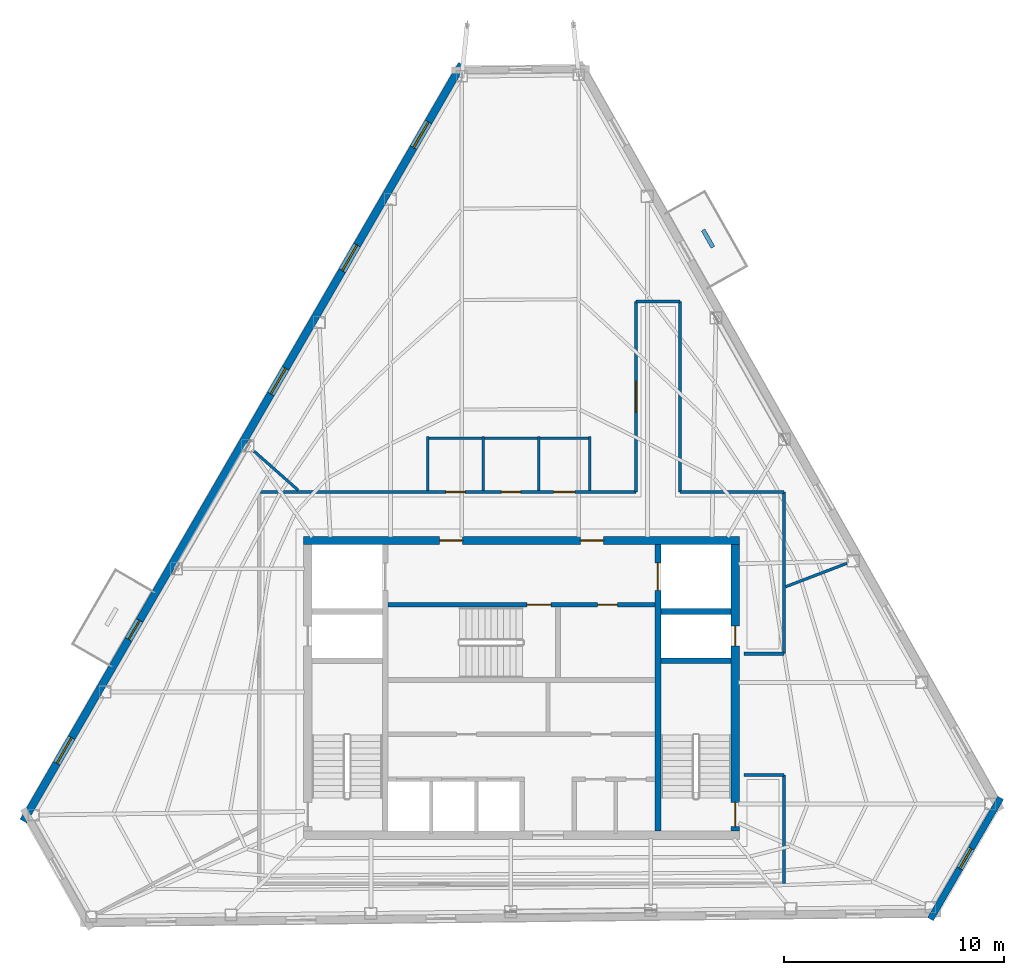
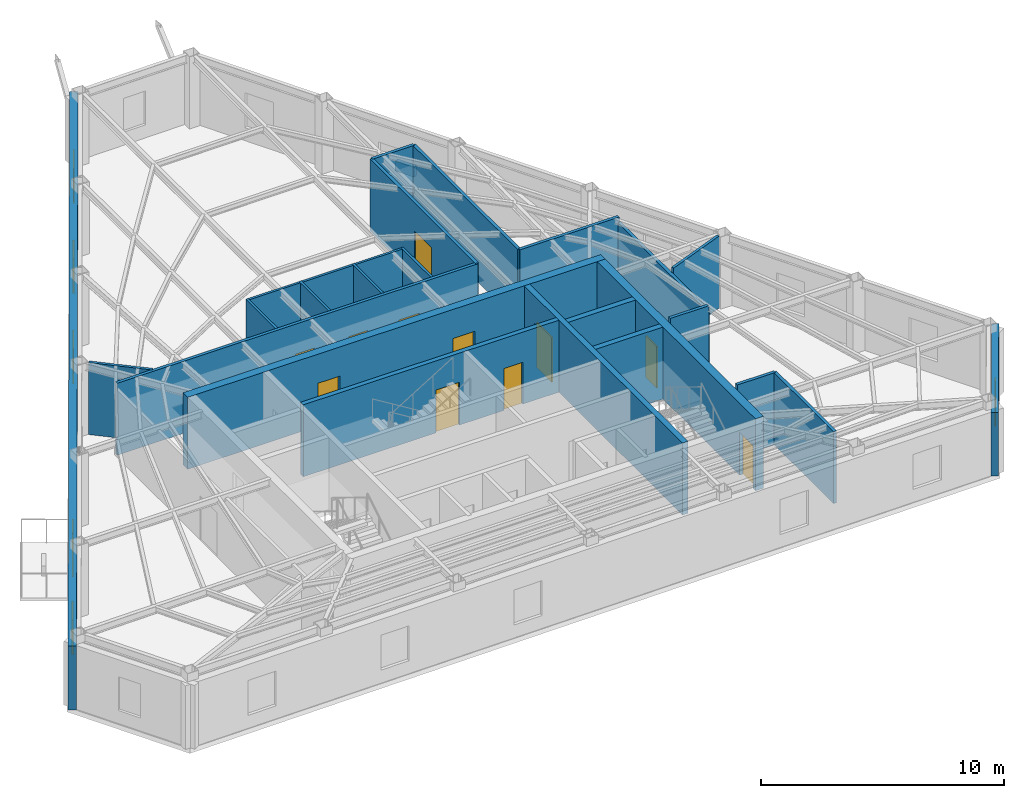
# One storey, part 7 of 10: 25 walls, 12 doors, 5 windows, 17 openings.
"""IFC4 building model written with IfcOpenShell, lengths in metres."""

import ifcopenshell
import ifcopenshell.guid

model = None  # the IFC model being written
_history = None  # IfcOwnerHistory: only IFC2X3 demands one
_inside = {}  # id of a spatial element -> (the spatial element, [elements in it])
_under = {}  # id of a project, library or spatial element -> (it, [spatial elements below it])
_declared = {}  # id of a project -> (the project, [libraries it declares])
_typed = {}  # id of a type object -> (the type object, [elements of that type])
_made_of = {}  # id of a material, layer set ... -> (it, [elements and type objects made of it])


def new_model(schema):
    """Start an empty IFC model of exactly this schema.

    Asked for "IFC4X3", IfcOpenShell would pick the latest addendum, in which some entities
    have other attributes; the version numbers below select the first issue.
    IFC2X3 requires an IfcOwnerHistory on every rooted entity: one is made here for all.
    """
    global model, _history
    if schema == "IFC4X3":
        model = ifcopenshell.file(schema_version=(4, 3, 0, 0))
    else:
        model = ifcopenshell.file(schema=schema)
    _inside.clear()
    _under.clear()
    _declared.clear()
    _typed.clear()
    _made_of.clear()
    _history = None
    if model.schema == "IFC2X3":
        org = make("IfcOrganization", Name="unknown")
        user = make(
            "IfcPersonAndOrganization",
            ThePerson=make("IfcPerson", FamilyName="unknown"),
            TheOrganization=org,
        )
        app = make(
            "IfcApplication",
            ApplicationDeveloper=org,
            Version="unknown",
            ApplicationFullName="unknown",
            ApplicationIdentifier="unknown",
        )
        _history = make(
            "IfcOwnerHistory",
            OwningUser=user,
            OwningApplication=app,
            ChangeAction="ADDED",
            CreationDate=0,
        )
    return model


def make(cls, **values):
    """One entity of the class cls with the attributes given. An attribute that is None is left unset."""
    return model.create_entity(
        cls, **{name: value for name, value in values.items() if value is not None}
    )


def rooted(cls, **values):
    """An entity with a GlobalId (a new one), such as an element, a storey or a relation."""
    return make(cls, GlobalId=ifcopenshell.guid.new(), OwnerHistory=_history, **values)


def si_unit(unit_type, name, prefix=None):
    """IfcSIUnit, for example si_unit("LENGTHUNIT", "METRE", prefix="MILLI")."""
    return make("IfcSIUnit", UnitType=unit_type, Prefix=prefix, Name=name)


def assignment(units):
    """IfcUnitAssignment: the units of a project."""
    return None if units is None else make("IfcUnitAssignment", Units=units)


def point(xyz):
    """IfcCartesianPoint."""
    return None if xyz is None else make("IfcCartesianPoint", Coordinates=xyz)


def direction(xyz):
    """IfcDirection."""
    return None if xyz is None else make("IfcDirection", DirectionRatios=xyz)


def frame(location, z_axis=None, x_axis=None):
    """IfcAxis2Placement3D, a coordinate frame: its origin and axes. An axis left out is left unset."""
    return make(
        "IfcAxis2Placement3D",
        Location=point(location),
        Axis=direction(z_axis),
        RefDirection=direction(x_axis),
    )


def frame_2d(location, x_axis=None):
    """IfcAxis2Placement2D, a coordinate frame in the plane: its origin and x axis."""
    return make(
        "IfcAxis2Placement2D", Location=point(location), RefDirection=direction(x_axis)
    )


def origin():
    """The frame at (0, 0, 0) with its axes left unset."""
    return frame((0.0, 0.0, 0.0))


def place(relative_to, where):
    """IfcLocalPlacement: puts the frame where relative to a parent placement (None: the world)."""
    return make(
        "IfcLocalPlacement", PlacementRelTo=relative_to, RelativePlacement=where
    )


def context(
    kind, dimensions, precision=None, world=None, true_north=None, identifier=None
):
    """IfcGeometricRepresentationContext, for example the 3D "Model" context."""
    return make(
        "IfcGeometricRepresentationContext",
        ContextIdentifier=identifier,
        ContextType=kind,
        CoordinateSpaceDimension=dimensions,
        Precision=precision,
        WorldCoordinateSystem=world,
        TrueNorth=true_north,
    )


def subcontext(parent, identifier, kind, view, scale=None):
    """IfcGeometricRepresentationSubContext, for example "Body" below "Model"."""
    return make(
        "IfcGeometricRepresentationSubContext",
        ContextIdentifier=identifier,
        ContextType=kind,
        ParentContext=parent,
        TargetScale=scale,
        TargetView=view,
    )


def project(units=None, contexts=None):
    """IfcProject with its units and contexts."""
    return rooted(
        "IfcProject",
        Name="project",
        RepresentationContexts=contexts,
        UnitsInContext=assignment(units),
    )


def spatial(cls, under=None, at=None, **own):
    """A site, building, storey or space (cls), placed at a placement, below another one or the project."""
    s = rooted(cls, ObjectPlacement=at, **own)
    if under is not None:
        _under.setdefault(under.id(), (under, []))[1].append(s)
    return s


def profile(cls, at=None, kind="AREA", **sizes):
    """A parametric profile (cls). Its sizes go by their IFC names, for example OverallWidth=200.0."""
    return make(cls, ProfileType=kind, Position=at, **sizes)


def rectangle(**sizes):
    """IfcRectangleProfileDef."""
    return profile("IfcRectangleProfileDef", **sizes)


def extrude(swept, where, along, depth):
    """IfcExtrudedAreaSolid: the profile swept, set in the frame where, extruded along a direction by depth."""
    return make(
        "IfcExtrudedAreaSolid",
        SweptArea=swept,
        Position=where,
        ExtrudedDirection=direction(along),
        Depth=depth,
    )


def shape(context_of_items, identifier, shape_type, items):
    """IfcShapeRepresentation: the items that make up one representation, for example the "Body"."""
    return make(
        "IfcShapeRepresentation",
        ContextOfItems=context_of_items,
        RepresentationIdentifier=identifier,
        RepresentationType=shape_type,
        Items=items,
    )


def material(Name=None, Category=None):
    """IfcMaterial."""
    return make("IfcMaterial", Name=Name, Category=Category)


def layer(
    of_material, thickness, ventilated=None, Name=None, Category=None, Priority=None
):
    """IfcMaterialLayer: one layer of a wall or slab, of a material (None: an air gap)."""
    return make(
        "IfcMaterialLayer",
        Material=of_material,
        LayerThickness=thickness,
        IsVentilated=ventilated,
        Name=Name,
        Category=Category,
        Priority=Priority,
    )


def layer_set(layers, Name=None):
    """IfcMaterialLayerSet."""
    return make("IfcMaterialLayerSet", MaterialLayers=layers, LayerSetName=Name)


def made_of(thing, what):
    """Note that an element or type object is made of a material, layer set ...; save() writes the relation."""
    if what is not None:
        _made_of.setdefault(what.id(), (what, []))[1].append(thing)
    return thing


def type_object(cls, material=None, **own):
    """A type object (cls), such as IfcWallType, which elements share."""
    return made_of(rooted(cls, **own), material)


def element(
    cls,
    number,
    at=None,
    inside=None,
    cuts=None,
    type_object=None,
    material=None,
    context=None,
    identifier="Body",
    shape_type=None,
    held_by="IfcProductDefinitionShape",
    body=None,
    shapes=None,
    **own,
):
    """One element of the class cls, such as IfcWall. Its Tag is "e" and its number.

    at: its placement. inside: the storey or other place that contains it. cuts: it is an
    opening in that element (IfcRelVoidsElement). A single representation is given by context,
    identifier, shape_type and body (its items); several are given by shapes. held_by: the class
    of the entity that holds the representations. save() writes the other relations.
    """
    e = rooted(cls, Tag="e%d" % number, ObjectPlacement=at, **own)
    if body is not None:
        shapes = [shape(context, identifier, shape_type, body)]
    if shapes is not None:
        e.Representation = make(held_by, Representations=shapes)
    if inside is not None:
        _inside.setdefault(inside.id(), (inside, []))[1].append(e)
    if cuts is not None:
        rooted(
            "IfcRelVoidsElement", RelatingBuildingElement=cuts, RelatedOpeningElement=e
        )
    if type_object is not None:
        _typed.setdefault(type_object.id(), (type_object, []))[1].append(e)
    return made_of(e, material)


def fill(opening, filler):
    """IfcRelFillsElement: the door or window that sits in an opening."""
    return rooted(
        "IfcRelFillsElement",
        RelatingOpeningElement=opening,
        RelatedBuildingElement=filler,
    )


def aggregate(whole, parts):
    """IfcRelAggregates: a whole, such as a stair, and the parts it consists of."""
    return rooted("IfcRelAggregates", RelatingObject=whole, RelatedObjects=parts)


def save(model, path):
    """Write the relations noted so far, then the file.

    IfcRelAggregates (storeys below a building ...), IfcRelContainedInSpatialStructure (elements
    in a storey), IfcRelDefinesByType, IfcRelAssociatesMaterial and IfcRelDeclares: one each for
    every whole, place, type object, material and project.
    """
    for whole, parts in _under.values():
        aggregate(whole, parts)
    for where, things in _inside.values():
        rooted(
            "IfcRelContainedInSpatialStructure",
            RelatedElements=things,
            RelatingStructure=where,
        )
    for kind, things in _typed.values():
        rooted("IfcRelDefinesByType", RelatedObjects=things, RelatingType=kind)
    for what, things in _made_of.values():
        rooted("IfcRelAssociatesMaterial", RelatedObjects=things, RelatingMaterial=what)
    for by, libraries in _declared.values():
        rooted("IfcRelDeclares", RelatingContext=by, RelatedDefinitions=libraries)
    model.write(path)


model = new_model("IFC4")

# Units and contexts
model_context = context("Model", 3, precision=1e-05, world=origin(), true_north=direction((0.0, 1.0)))
body_context = subcontext(model_context, "Body", "Model", "MODEL_VIEW")
ifc_project = project(units=[si_unit("LENGTHUNIT", "METRE"), si_unit("AREAUNIT", "SQUARE_METRE"), si_unit("VOLUMEUNIT", "CUBIC_METRE"), si_unit("PLANEANGLEUNIT", "RADIAN"), si_unit("MASSUNIT", "GRAM", prefix="KILO")], contexts=[model_context])

# Site, building, storey
site_placement = place(None, origin())
site = spatial("IfcSite", under=ifc_project, at=site_placement, CompositionType="ELEMENT")
building_placement = place(site_placement, origin())
building = spatial("IfcBuilding", under=site, at=building_placement, Name="Kavelnor Concourse Tower", CompositionType="ELEMENT")
storey_placement = place(building_placement, frame((0.0, 0.0, 293.39990234375)))
storey = spatial("IfcBuildingStorey", under=building, at=storey_placement, Name="L74", CompositionType="ELEMENT", Elevation=293.39990234375)

# Wall, openings, doors
ifc_material_1 = material(Name="Concrete C50/60", Category="concrete")
ifc_layer_1 = layer(ifc_material_1, 0.3798828125, Name="Concrete C50/60")
ifc_layer_set_1 = layer_set([ifc_layer_1], Name="Concrete C50/60")
wall_type_1 = type_object("IfcWallType", Name="WL-CORE-Z4-380", PredefinedType="SOLIDWALL", material=ifc_layer_set_1)
wall_1_placement = place(storey_placement, frame((28.10009765625, 22.7900390625, 0.0), z_axis=(0.0, 0.0, 1.0), x_axis=(1.0, 0.0, 0.0)))
wall_1 = element("IfcWall", 1, at=wall_1_placement, inside=storey, type_object=wall_type_1, Name="L74 Central Core North Shear Wall", PredefinedType="SOLIDWALL", context=body_context, shape_type="SweptSolid", body=[
    extrude(rectangle(XDim=19.7998046875, YDim=0.3798828125, at=frame_2d((9.89990234375, 0.0))), origin(), (0.0, 0.0, 1.0), 3.610107421875),
])
opening_1_placement = place(wall_1_placement, frame((6.175048828125, 0.0, 0.0)))
opening_1 = element("IfcOpeningElement", 2, at=opening_1_placement, cuts=wall_1, Name="Opening FD-105", PredefinedType="OPENING", context=body_context, shape_type="SweptSolid", body=[
    extrude(rectangle(XDim=1.050048828125, YDim=2.14990234375, at=frame_2d((0.52490234375, 1.074951171875))), frame((0.0, 0.199951171875, 0.0), z_axis=(0.0, -1.0, 0.0), x_axis=(1.0, 0.0, 0.0)), (0.0, 0.0, 1.0), 0.39990234375),
])
opening_2_placement = place(wall_1_placement, frame((12.574951171875, 0.0, 0.0)))
opening_2 = element("IfcOpeningElement", 3, at=opening_2_placement, cuts=wall_1, Name="Opening FD-105", PredefinedType="OPENING", context=body_context, shape_type="SweptSolid", body=[
    extrude(rectangle(XDim=1.050048828125, YDim=2.14990234375, at=frame_2d((0.52490234375, 1.074951171875))), frame((0.0, 0.199951171875, 0.0), z_axis=(0.0, -1.0, 0.0), x_axis=(1.0, 0.0, 0.0)), (0.0, 0.0, 1.0), 0.39990234375),
])
ifc_material_2 = material(Name="Steel Grade 350", Category="steel")
door_type_1 = type_object("IfcDoorType", Name="DR-LOBBY-FIRE-1050", OperationType="NOTDEFINED", PredefinedType="DOOR", material=ifc_material_2)
door_1_placement = place(opening_1_placement, origin())
door_1 = element("IfcDoor", 4, at=door_1_placement, inside=storey, type_object=door_type_1, Name="L74 Emergency Lift Lobby West Door", OperationType="SINGLE_SWING_LEFT", OverallHeight=2.14990234375, OverallWidth=1.050048828125, PredefinedType="DOOR", context=body_context, shape_type="SweptSolid", body=[
    extrude(rectangle(XDim=1.050048828125, YDim=2.14990234375, at=frame_2d((0.52490234375, 1.074951171875))), frame((0.0, 0.02490234375, 0.0), z_axis=(0.0, -1.0, 0.0), x_axis=(1.0, 0.0, 0.0)), (0.0, 0.0, 1.0), 0.050048828125),
])
fill(opening_1, door_1)
door_2_placement = place(opening_2_placement, origin())
door_2 = element("IfcDoor", 5, at=door_2_placement, inside=storey, type_object=door_type_1, Name="L74 Emergency Lift Lobby East Door", OperationType="SINGLE_SWING_RIGHT", OverallHeight=2.14990234375, OverallWidth=1.050048828125, PredefinedType="DOOR", context=body_context, shape_type="SweptSolid", body=[
    extrude(rectangle(XDim=1.050048828125, YDim=2.14990234375, at=frame_2d((0.52490234375, 1.074951171875))), frame((0.0, 0.02490234375, 0.0), z_axis=(0.0, -1.0, 0.0), x_axis=(1.0, 0.0, 0.0)), (0.0, 0.0, 1.0), 0.050048828125),
])
fill(opening_2, door_2)

wall_2_placement = place(storey_placement, frame((47.7099609375, 9.60009765625, 0.0), z_axis=(0.0, 0.0, 1.0), x_axis=(0.0, 1.0, 0.0)))
wall_2 = element("IfcWall", 6, at=wall_2_placement, inside=storey, type_object=wall_type_1, Name="L74 Central Core East Shear Wall", PredefinedType="SOLIDWALL", context=body_context, shape_type="SweptSolid", body=[
    extrude(rectangle(XDim=13.0, YDim=0.3798828125, at=frame_2d((6.5, 0.0))), origin(), (0.0, 0.0, 1.0), 3.610107421875),
])
opening_3_placement = place(wall_2_placement, frame((0.199951171875, 0.0, 0.0)))
opening_3 = element("IfcOpeningElement", 7, at=opening_3_placement, cuts=wall_2, Name="Opening FD-110", PredefinedType="OPENING", context=body_context, shape_type="SweptSolid", body=[
    extrude(rectangle(XDim=1.10009765625, YDim=2.14990234375, at=frame_2d((0.550048828125, 1.074951171875))), frame((0.0, 0.199951171875, 0.0), z_axis=(0.0, -1.0, 0.0), x_axis=(1.0, 0.0, 0.0)), (0.0, 0.0, 1.0), 0.39990234375),
])
opening_4_placement = place(wall_2_placement, frame((8.39990234375, 0.0, 0.0)))
opening_4 = element("IfcOpeningElement", 8, at=opening_4_placement, cuts=wall_2, Name="Opening FD-090", PredefinedType="OPENING", context=body_context, shape_type="SweptSolid", body=[
    extrude(rectangle(XDim=0.89990234375, YDim=2.10009765625, at=frame_2d((0.449951171875, 1.050048828125))), frame((0.0, 0.199951171875, 0.0), z_axis=(0.0, -1.0, 0.0), x_axis=(1.0, 0.0, 0.0)), (0.0, 0.0, 1.0), 0.39990234375),
])
door_type_2 = type_object("IfcDoorType", Name="DR-RISER-FIRE-900", OperationType="NOTDEFINED", PredefinedType="DOOR", material=ifc_material_2)
door_3_placement = place(opening_4_placement, origin())
door_3 = element("IfcDoor", 9, at=door_3_placement, inside=storey, type_object=door_type_2, Name="L74 East Riser Access Door", OperationType="SINGLE_SWING_LEFT", OverallHeight=2.10009765625, OverallWidth=0.89990234375, PredefinedType="DOOR", context=body_context, shape_type="SweptSolid", body=[
    extrude(rectangle(XDim=0.89990234375, YDim=2.10009765625, at=frame_2d((0.449951171875, 1.050048828125))), frame((0.0, 0.02490234375, 0.0), z_axis=(0.0, -1.0, 0.0), x_axis=(1.0, 0.0, 0.0)), (0.0, 0.0, 1.0), 0.050048828125),
])
fill(opening_4, door_3)
door_type_3 = type_object("IfcDoorType", Name="DR-STAIR-FIRE-1100", OperationType="NOTDEFINED", PredefinedType="DOOR", material=ifc_material_2)
door_4_placement = place(opening_3_placement, origin())
door_4 = element("IfcDoor", 10, at=door_4_placement, inside=storey, type_object=door_type_3, Name="L74 Stair ST2 Fire Door", OperationType="SINGLE_SWING_RIGHT", OverallHeight=2.14990234375, OverallWidth=1.10009765625, PredefinedType="DOOR", context=body_context, shape_type="SweptSolid", body=[
    extrude(rectangle(XDim=1.10009765625, YDim=2.14990234375, at=frame_2d((0.550048828125, 1.074951171875))), frame((0.0, 0.02490234375, 0.0), z_axis=(0.0, -1.0, 0.0), x_axis=(1.0, 0.0, 0.0)), (0.0, 0.0, 1.0), 0.050048828125),
])
fill(opening_3, door_4)

# Wall, opening, window
ifc_material_3 = material(Name="Buff ironspot clay face brick masonry", Category="masonry")
ifc_layer_2 = layer(ifc_material_3, 0.300048828125, Name="Buff ironspot clay face brick masonry")
ifc_layer_set_2 = layer_set([ifc_layer_2], Name="Buff ironspot clay face brick masonry")
wall_type_2 = type_object("IfcWallType", Name="WL-EXT-BUFF-BRICK-FOLD-300", PredefinedType="STANDARD", material=ifc_layer_set_2)
wall_3_placement = place(storey_placement, frame((59.75390625, 11.106201171875, 0.0), z_axis=(0.0, 0.0, 1.0), x_axis=(-0.501343185134, -0.865248525407, 0.0)))
wall_3 = element("IfcWall", 11, at=wall_3_placement, inside=storey, type_object=wall_type_2, Name="L74 Exterior Brick Facade Wall E4", PredefinedType="STANDARD", context=body_context, shape_type="SweptSolid", body=[
    extrude(rectangle(XDim=6.36474609375, YDim=0.300048828125, at=frame_2d((3.182373046875, 0.0))), origin(), (0.0, 0.0, 1.0), 3.196044921875),
])
opening_5_placement = place(wall_3_placement, frame((2.657470703125, 0.0, 0.64990234375)))
opening_5 = element("IfcOpeningElement", 12, at=opening_5_placement, cuts=wall_3, Name="Opening W-06", PredefinedType="OPENING", context=body_context, shape_type="SweptSolid", body=[
    extrude(rectangle(XDim=1.050048828125, YDim=1.699951171875, at=frame_2d((0.52490234375, 0.85009765625))), frame((0.0, 0.16015625, 0.0), z_axis=(0.0, -1.0, 0.0), x_axis=(1.0, 0.0, 0.0)), (0.0, 0.0, 1.0), 0.320068359375),
])
ifc_material_4 = material(Name="Double low-E argon insulated glazing", Category="glass")
window_type_1 = type_object("IfcWindowType", Name="WIN-FOLD-1050", PartitioningType="SINGLE_PANEL", PredefinedType="WINDOW", material=ifc_material_4)
window_1_placement = place(opening_5_placement, origin())
window_1 = element("IfcWindow", 13, at=window_1_placement, inside=storey, type_object=window_type_1, Name="L74 Chamfer-Fold Facet Window C2", OverallHeight=1.699951171875, OverallWidth=1.050048828125, PartitioningType="SINGLE_PANEL", PredefinedType="WINDOW", context=body_context, shape_type="SweptSolid", body=[
    extrude(rectangle(XDim=1.050048828125, YDim=1.699951171875, at=frame_2d((0.52490234375, 0.85009765625))), frame((0.0, 0.030029296875, 0.0), z_axis=(0.0, -1.0, 0.0), x_axis=(1.0, 0.0, 0.0)), (0.0, 0.0, 1.0), 0.06005859375),
])
fill(opening_5, window_1)

# Wall, openings, door, windows
ifc_material_5 = material(Name="Red-ochre clay face brick masonry", Category="masonry")
ifc_layer_3 = layer(ifc_material_5, 0.35009765625, Name="Red-ochre clay face brick masonry")
ifc_layer_set_3 = layer_set([ifc_layer_3], Name="Red-ochre clay face brick masonry")
wall_type_3 = type_object("IfcWallType", Name="WL-EXT-RED-BRICK-PIER-350", PredefinedType="STANDARD", material=ifc_layer_set_3)
wall_4_placement = place(storey_placement, frame((15.380615234375, 10.0498046875, 0.0), z_axis=(0.0, 0.0, 1.0), x_axis=(0.501350047618, 0.865244549104, 0.0)))
wall_4 = element("IfcWall", 14, at=wall_4_placement, inside=storey, type_object=wall_type_3, Name="L74 Exterior Brick Facade Wall E1", PredefinedType="STANDARD", context=body_context, shape_type="SweptSolid", body=[
    extrude(rectangle(XDim=39.714599609375, YDim=0.35009765625, at=frame_2d((19.857421875, 0.0))), origin(), (0.0, 0.0, 1.0), 3.196044921875),
])
opening_6_placement = place(wall_4_placement, frame((9.52880859375, 0.0, 0.0)))
opening_6 = element("IfcOpeningElement", 15, at=opening_6_placement, cuts=wall_4, Name="Opening BD-100", PredefinedType="OPENING", context=body_context, shape_type="SweptSolid", body=[
    extrude(rectangle(XDim=1.0, YDim=2.199951171875, at=frame_2d((0.5, 1.10009765625))), frame((0.0, 0.18505859375, 0.0), z_axis=(0.0, -1.0, 0.0), x_axis=(1.0, 0.0, 0.0)), (0.0, 0.0, 1.0), 0.3701171875),
])
opening_7_placement = place(wall_4_placement, frame((35.3359375, 0.0, 0.64990234375)))
opening_7 = element("IfcOpeningElement", 16, at=opening_7_placement, cuts=wall_4, Name="Opening W-04", PredefinedType="OPENING", context=body_context, shape_type="SweptSolid", body=[
    extrude(rectangle(XDim=1.35009765625, YDim=1.75, at=frame_2d((0.675048828125, 0.875))), frame((0.0, 0.18505859375, 0.0), z_axis=(0.0, -1.0, 0.0), x_axis=(1.0, 0.0, 0.0)), (0.0, 0.0, 1.0), 0.3701171875),
])
opening_8_placement = place(wall_4_placement, frame((28.874755859375, 0.0, 0.64990234375)))
opening_8 = element("IfcOpeningElement", 17, at=opening_8_placement, cuts=wall_4, Name="Opening W-04", PredefinedType="OPENING", context=body_context, shape_type="SweptSolid", body=[
    extrude(rectangle(XDim=1.35009765625, YDim=1.75, at=frame_2d((0.675048828125, 0.875))), frame((0.0, 0.18505859375, 0.0), z_axis=(0.0, -1.0, 0.0), x_axis=(1.0, 0.0, 0.0)), (0.0, 0.0, 1.0), 0.3701171875),
])
opening_9_placement = place(wall_4_placement, frame((22.41357421875, 0.0, 0.64990234375)))
opening_9 = element("IfcOpeningElement", 18, at=opening_9_placement, cuts=wall_4, Name="Opening W-04", PredefinedType="OPENING", context=body_context, shape_type="SweptSolid", body=[
    extrude(rectangle(XDim=1.35009765625, YDim=1.75, at=frame_2d((0.675048828125, 0.875))), frame((0.0, 0.18505859375, 0.0), z_axis=(0.0, -1.0, 0.0), x_axis=(1.0, 0.0, 0.0)), (0.0, 0.0, 1.0), 0.3701171875),
])
opening_10_placement = place(wall_4_placement, frame((3.030029296875, 0.0, 0.64990234375)))
opening_10 = element("IfcOpeningElement", 19, at=opening_10_placement, cuts=wall_4, Name="Opening W-04", PredefinedType="OPENING", context=body_context, shape_type="SweptSolid", body=[
    extrude(rectangle(XDim=1.35009765625, YDim=1.75, at=frame_2d((0.675048828125, 0.875))), frame((0.0, 0.18505859375, 0.0), z_axis=(0.0, -1.0, 0.0), x_axis=(1.0, 0.0, 0.0)), (0.0, 0.0, 1.0), 0.3701171875),
])
ifc_material_6 = material(Name="Anodised aluminium 6063-T6", Category="aluminium")
door_type_4 = type_object("IfcDoorType", Name="DR-BALCONY-EXT-1000", OperationType="NOTDEFINED", PredefinedType="DOOR", material=ifc_material_6)
door_5_placement = place(opening_6_placement, origin())
door_5 = element("IfcDoor", 20, at=door_5_placement, inside=storey, type_object=door_type_4, Name="L74 Tree Balcony 2 Glazed Door", OperationType="SINGLE_SWING_RIGHT", OverallHeight=2.199951171875, OverallWidth=1.0, PredefinedType="DOOR", context=body_context, shape_type="SweptSolid", body=[
    extrude(rectangle(XDim=1.0, YDim=2.199951171875, at=frame_2d((0.5, 1.10009765625))), frame((0.0, 0.02490234375, 0.0), z_axis=(0.0, -1.0, 0.0), x_axis=(1.0, 0.0, 0.0)), (0.0, 0.0, 1.0), 0.050048828125),
])
fill(opening_6, door_5)
window_type_2 = type_object("IfcWindowType", Name="WIN-PIER-Z4-1350", PartitioningType="SINGLE_PANEL", PredefinedType="WINDOW", material=ifc_material_4)
window_2_placement = place(opening_7_placement, origin())
window_2 = element("IfcWindow", 21, at=window_2_placement, inside=storey, type_object=window_type_2, Name="L74 Deep-Set Brick Pier Window F0-B0", OverallHeight=1.75, OverallWidth=1.35009765625, PartitioningType="SINGLE_PANEL", PredefinedType="WINDOW", context=body_context, shape_type="SweptSolid", body=[
    extrude(rectangle(XDim=1.35009765625, YDim=1.75, at=frame_2d((0.675048828125, 0.875))), frame((0.0, 0.030029296875, 0.0), z_axis=(0.0, -1.0, 0.0), x_axis=(1.0, 0.0, 0.0)), (0.0, 0.0, 1.0), 0.06005859375),
])
fill(opening_7, window_2)
window_3_placement = place(opening_8_placement, origin())
window_3 = element("IfcWindow", 22, at=window_3_placement, inside=storey, type_object=window_type_2, Name="L74 Deep-Set Brick Pier Window F0-B1", OverallHeight=1.75, OverallWidth=1.35009765625, PartitioningType="SINGLE_PANEL", PredefinedType="WINDOW", context=body_context, shape_type="SweptSolid", body=[
    extrude(rectangle(XDim=1.35009765625, YDim=1.75, at=frame_2d((0.675048828125, 0.875))), frame((0.0, 0.030029296875, 0.0), z_axis=(0.0, -1.0, 0.0), x_axis=(1.0, 0.0, 0.0)), (0.0, 0.0, 1.0), 0.06005859375),
])
fill(opening_8, window_3)
window_4_placement = place(opening_9_placement, origin())
window_4 = element("IfcWindow", 23, at=window_4_placement, inside=storey, type_object=window_type_2, Name="L74 Deep-Set Brick Pier Window F0-B2", OverallHeight=1.75, OverallWidth=1.35009765625, PartitioningType="SINGLE_PANEL", PredefinedType="WINDOW", context=body_context, shape_type="SweptSolid", body=[
    extrude(rectangle(XDim=1.35009765625, YDim=1.75, at=frame_2d((0.675048828125, 0.875))), frame((0.0, 0.030029296875, 0.0), z_axis=(0.0, -1.0, 0.0), x_axis=(1.0, 0.0, 0.0)), (0.0, 0.0, 1.0), 0.06005859375),
])
fill(opening_9, window_4)
window_5_placement = place(opening_10_placement, origin())
window_5 = element("IfcWindow", 24, at=window_5_placement, inside=storey, type_object=window_type_2, Name="L74 Deep-Set Brick Pier Window F0-B5", OverallHeight=1.75, OverallWidth=1.35009765625, PartitioningType="SINGLE_PANEL", PredefinedType="WINDOW", context=body_context, shape_type="SweptSolid", body=[
    extrude(rectangle(XDim=1.35009765625, YDim=1.75, at=frame_2d((0.675048828125, 0.875))), frame((0.0, 0.030029296875, 0.0), z_axis=(0.0, -1.0, 0.0), x_axis=(1.0, 0.0, 0.0)), (0.0, 0.0, 1.0), 0.06005859375),
])
fill(opening_10, window_5)

# Wall, opening, door
ifc_material_7 = material(Name="Gypsum plasterboard on light-gauge steel studs", Category="steel")
ifc_layer_4 = layer(ifc_material_7, 0.14501953125, Name="Gypsum plasterboard on light-gauge steel studs")
ifc_layer_set_4 = layer_set([ifc_layer_4], Name="Gypsum plasterboard on light-gauge steel studs")
wall_type_4 = type_object("IfcWallType", Name="WL-INT-CORR-145", PredefinedType="PARTITIONING", material=ifc_layer_set_4)
wall_5_placement = place(storey_placement, frame((43.199951171875, 24.989990234375, 0.0), z_axis=(0.0, 0.0, 1.0), x_axis=(0.0, 1.0, 0.0)))
wall_5 = element("IfcWall", 25, at=wall_5_placement, inside=storey, type_object=wall_type_4, Name="L74 Corridor Wall WL-L74-CR-01", PredefinedType="PARTITIONING", context=body_context, shape_type="SweptSolid", body=[
    extrude(rectangle(XDim=8.6533203125, YDim=0.14501953125, at=frame_2d((4.32666015625, 0.0))), origin(), (0.0, 0.0, 1.0), 3.610107421875),
])
opening_11_placement = place(wall_5_placement, frame((3.626708984375, 0.0, 0.0)))
opening_11 = element("IfcOpeningElement", 26, at=opening_11_placement, cuts=wall_5, Name="Opening SD-140", PredefinedType="OPENING", context=body_context, shape_type="SweptSolid", body=[
    extrude(rectangle(XDim=1.39990234375, YDim=2.199951171875, at=frame_2d((0.699951171875, 1.10009765625))), frame((0.0, 0.08251953125, 0.0), z_axis=(0.0, -1.0, 0.0), x_axis=(1.0, 0.0, 0.0)), (0.0, 0.0, 1.0), 0.1650390625),
])
ifc_material_8 = material(Name="Solid-core hardwood timber", Category="wood")
door_type_5 = type_object("IfcDoorType", Name="DR-SUITE-ENTRY-1400", OperationType="NOTDEFINED", PredefinedType="DOOR", material=ifc_material_8)
door_6_placement = place(opening_11_placement, origin())
door_6 = element("IfcDoor", 27, at=door_6_placement, inside=storey, type_object=door_type_5, Name="L74 Technical Reference Library 01 Door", OperationType="SINGLE_SWING_RIGHT", OverallHeight=2.199951171875, OverallWidth=1.39990234375, PredefinedType="DOOR", context=body_context, shape_type="SweptSolid", body=[
    extrude(rectangle(XDim=1.39990234375, YDim=2.199951171875, at=frame_2d((0.699951171875, 1.10009765625))), frame((0.0, 0.02490234375, 0.0), z_axis=(0.0, -1.0, 0.0), x_axis=(1.0, 0.0, 0.0)), (0.0, 0.0, 1.0), 0.050048828125),
])
fill(opening_11, door_6)

# Walls
wall_6_placement = place(storey_placement, frame((43.199951171875, 33.643310546875, 0.0), z_axis=(0.0, 0.0, 1.0), x_axis=(1.0, 0.0, 0.0)))
element("IfcWall", 28, at=wall_6_placement, inside=storey, type_object=wall_type_4, Name="L74 Corridor Wall WL-L74-CR-02", PredefinedType="PARTITIONING", context=body_context, shape_type="SweptSolid", body=[
    extrude(rectangle(XDim=2.0, YDim=0.14501953125, at=frame_2d((1.0, 0.0))), origin(), (0.0, 0.0, 1.0), 3.610107421875),
])
wall_7_placement = place(storey_placement, frame((45.199951171875, 33.643310546875, 0.0), z_axis=(0.0, 0.0, 1.0), x_axis=(0.0, -1.0, 0.0)))
element("IfcWall", 29, at=wall_7_placement, inside=storey, type_object=wall_type_4, Name="L74 Corridor Wall WL-L74-CR-03", PredefinedType="PARTITIONING", context=body_context, shape_type="SweptSolid", body=[
    extrude(rectangle(XDim=8.6533203125, YDim=0.14501953125, at=frame_2d((4.32666015625, 0.0))), origin(), (0.0, 0.0, 1.0), 3.610107421875),
])
wall_8_placement = place(storey_placement, frame((45.199951171875, 24.989990234375, 0.0), z_axis=(0.0, 0.0, 1.0), x_axis=(1.0, 0.0, 0.0)))
element("IfcWall", 30, at=wall_8_placement, inside=storey, type_object=wall_type_4, Name="L74 Corridor Wall WL-L74-CR-04", PredefinedType="PARTITIONING", context=body_context, shape_type="SweptSolid", body=[
    extrude(rectangle(XDim=4.7099609375, YDim=0.14501953125, at=frame_2d((2.35498046875, 0.0))), origin(), (0.0, 0.0, 1.0), 3.610107421875),
])
wall_9_placement = place(storey_placement, frame((49.909912109375, 24.989990234375, 0.0), z_axis=(0.0, 0.0, 1.0), x_axis=(0.0, -1.0, 0.0)))
element("IfcWall", 31, at=wall_9_placement, inside=storey, type_object=wall_type_4, Name="L74 Corridor Wall WL-L74-CR-05", PredefinedType="PARTITIONING", context=body_context, shape_type="SweptSolid", body=[
    extrude(rectangle(XDim=7.340087890625, YDim=0.14501953125, at=frame_2d((3.669921875, 0.0))), origin(), (0.0, 0.0, 1.0), 3.34912109375),
])
for number, where, z_axis, x_axis, name in (
    (32, (49.909912109375, 17.64990234375, 0.0), (0.0, 0.0, 1.0), (-1.0, 0.0, 0.0), "L74 Corridor Wall WL-L74-CR-06"),
    (33, (48.090087890625, 12.14990234375, 0.0), (0.0, 0.0, 1.0), (1.0, 0.0, 0.0), "L74 Corridor Wall WL-L74-CR-07"),
):
    element("IfcWall", number, at=place(storey_placement, frame(where, z_axis=z_axis, x_axis=x_axis)), inside=storey, type_object=wall_type_4, Name=name, PredefinedType="PARTITIONING", context=body_context, shape_type="SweptSolid", body=[
        extrude(rectangle(XDim=1.81982421875, YDim=0.14501953125, at=frame_2d((0.909912109375, 0.0))), origin(), (0.0, 0.0, 1.0), 3.610107421875),
    ])
wall_10_placement = place(storey_placement, frame((49.909912109375, 12.14990234375, 0.0), z_axis=(0.0, 0.0, 1.0), x_axis=(0.0, -1.0, 0.0)))
element("IfcWall", 34, at=wall_10_placement, inside=storey, type_object=wall_type_4, Name="L74 Corridor Wall WL-L74-CR-08", PredefinedType="PARTITIONING", context=body_context, shape_type="SweptSolid", body=[
    extrude(rectangle(XDim=4.93994140625, YDim=0.14501953125, at=frame_2d((2.469970703125, 0.0))), origin(), (0.0, 0.0, 1.0), 3.610107421875),
])

# Wall, openings, doors
wall_11_placement = place(storey_placement, frame((26.090087890625, 24.989990234375, 0.0), z_axis=(0.0, 0.0, 1.0), x_axis=(1.0, 0.0, 0.0)))
wall_11 = element("IfcWall", 35, at=wall_11_placement, inside=storey, type_object=wall_type_4, Name="L74 Corridor Wall WL-L74-CR-11", PredefinedType="PARTITIONING", context=body_context, shape_type="SweptSolid", body=[
    extrude(rectangle(XDim=17.10986328125, YDim=0.14501953125, at=frame_2d((8.554931640625, 0.0))), origin(), (0.0, 0.0, 1.0), 3.610107421875),
])
opening_12_placement = place(wall_11_placement, frame((8.469970703125, 0.0, 0.0)))
opening_12 = element("IfcOpeningElement", 36, at=opening_12_placement, cuts=wall_11, Name="Opening WD-088", PredefinedType="OPENING", context=body_context, shape_type="SweptSolid", body=[
    extrude(rectangle(XDim=0.8798828125, YDim=2.10009765625, at=frame_2d((0.43994140625, 1.050048828125))), frame((0.0, 0.08251953125, 0.0), z_axis=(0.0, -1.0, 0.0), x_axis=(1.0, 0.0, 0.0)), (0.0, 0.0, 1.0), 0.1650390625),
])
opening_13_placement = place(wall_11_placement, frame((10.989990234375, 0.0, 0.0)))
opening_13 = element("IfcOpeningElement", 37, at=opening_13_placement, cuts=wall_11, Name="Opening WD-088", PredefinedType="OPENING", context=body_context, shape_type="SweptSolid", body=[
    extrude(rectangle(XDim=0.8798828125, YDim=2.10009765625, at=frame_2d((0.43994140625, 1.050048828125))), frame((0.0, 0.08251953125, 0.0), z_axis=(0.0, -1.0, 0.0), x_axis=(1.0, 0.0, 0.0)), (0.0, 0.0, 1.0), 0.1650390625),
])
opening_14_placement = place(wall_11_placement, frame((13.3701171875, 0.0, 0.0)))
opening_14 = element("IfcOpeningElement", 38, at=opening_14_placement, cuts=wall_11, Name="Opening WD-096", PredefinedType="OPENING", context=body_context, shape_type="SweptSolid", body=[
    extrude(rectangle(XDim=0.9599609375, YDim=2.10009765625, at=frame_2d((0.47998046875, 1.050048828125))), frame((0.0, 0.08251953125, 0.0), z_axis=(0.0, -1.0, 0.0), x_axis=(1.0, 0.0, 0.0)), (0.0, 0.0, 1.0), 0.1650390625),
])
door_type_6 = type_object("IfcDoorType", Name="DR-WC-ACC-960", OperationType="NOTDEFINED", PredefinedType="DOOR", material=ifc_material_8)
door_7_placement = place(opening_14_placement, origin())
door_7 = element("IfcDoor", 39, at=door_7_placement, inside=storey, type_object=door_type_6, Name="L74 Accessible WC Door", OperationType="SINGLE_SWING_RIGHT", OverallHeight=2.10009765625, OverallWidth=0.9599609375, PredefinedType="DOOR", context=body_context, shape_type="SweptSolid", body=[
    extrude(rectangle(XDim=0.9599609375, YDim=2.10009765625, at=frame_2d((0.47998046875, 1.050048828125))), frame((0.0, 0.02490234375, 0.0), z_axis=(0.0, -1.0, 0.0), x_axis=(1.0, 0.0, 0.0)), (0.0, 0.0, 1.0), 0.050048828125),
])
fill(opening_14, door_7)
door_type_7 = type_object("IfcDoorType", Name="DR-WC-STD-880", OperationType="NOTDEFINED", PredefinedType="DOOR", material=ifc_material_8)
door_8_placement = place(opening_12_placement, origin())
door_8 = element("IfcDoor", 40, at=door_8_placement, inside=storey, type_object=door_type_7, Name="L74 Male WC Door", OperationType="SINGLE_SWING_RIGHT", OverallHeight=2.10009765625, OverallWidth=0.8798828125, PredefinedType="DOOR", context=body_context, shape_type="SweptSolid", body=[
    extrude(rectangle(XDim=0.8798828125, YDim=2.10009765625, at=frame_2d((0.43994140625, 1.050048828125))), frame((0.0, 0.02490234375, 0.0), z_axis=(0.0, -1.0, 0.0), x_axis=(1.0, 0.0, 0.0)), (0.0, 0.0, 1.0), 0.050048828125),
])
fill(opening_12, door_8)
door_9_placement = place(opening_13_placement, origin())
door_9 = element("IfcDoor", 41, at=door_9_placement, inside=storey, type_object=door_type_7, Name="L74 Female WC Door", OperationType="SINGLE_SWING_LEFT", OverallHeight=2.10009765625, OverallWidth=0.8798828125, PredefinedType="DOOR", context=body_context, shape_type="SweptSolid", body=[
    extrude(rectangle(XDim=0.8798828125, YDim=2.10009765625, at=frame_2d((0.43994140625, 1.050048828125))), frame((0.0, 0.02490234375, 0.0), z_axis=(0.0, -1.0, 0.0), x_axis=(1.0, 0.0, 0.0)), (0.0, 0.0, 1.0), 0.050048828125),
])
fill(opening_13, door_9)

# Walls
ifc_layer_5 = layer(ifc_material_7, 0.125, Name="Gypsum plasterboard on light-gauge steel studs")
ifc_layer_set_5 = layer_set([ifc_layer_5], Name="Gypsum plasterboard on light-gauge steel studs")
wall_type_5 = type_object("IfcWallType", Name="WL-INT-SUITE-125", PredefinedType="PARTITIONING", material=ifc_layer_set_5)
wall_12_placement = place(storey_placement, frame((49.990478515625, 20.690185546875, 0.0), z_axis=(0.0, 0.0, 1.0), x_axis=(0.933913946593, 0.357497888607, 0.0)))
element("IfcWall", 42, at=wall_12_placement, inside=storey, type_object=wall_type_5, Name="L74 Radial Suite Partition 01", PredefinedType="PARTITIONING", context=body_context, shape_type="SweptSolid", body=[
    extrude(rectangle(XDim=2.971923828125, YDim=0.125, at=frame_2d((1.48583984375, 0.0))), origin(), (0.0, 0.0, 1.0), 3.610107421875),
])
wall_13_placement = place(storey_placement, frame((27.860107421875, 25.070556640625, 0.0), z_axis=(0.0, 0.0, 1.0), x_axis=(-0.748944260639, 0.662633001333, 0.0)))
element("IfcWall", 43, at=wall_13_placement, inside=storey, type_object=wall_type_5, Name="L74 Radial Suite Partition 02", PredefinedType="PARTITIONING", context=body_context, shape_type="SweptSolid", body=[
    extrude(rectangle(XDim=2.673095703125, YDim=0.125, at=frame_2d((1.33642578125, 0.0))), origin(), (0.0, 0.0, 1.0), 3.610107421875),
])
ifc_layer_6 = layer(ifc_material_7, 0.110107421875, Name="Gypsum plasterboard on light-gauge steel studs")
ifc_layer_set_6 = layer_set([ifc_layer_6], Name="Gypsum plasterboard on light-gauge steel studs")
wall_type_6 = type_object("IfcWallType", Name="WL-INT-WC-110", PredefinedType="PLUMBINGWALL", material=ifc_layer_set_6)
for number, where, z_axis, x_axis, name in (
    (44, (33.739990234375, 25.06005859375, 0.0), (0.0, 0.0, 1.0), (0.0, 1.0, 0.0), "L74 Sanitary Partition WL-L74-WC-W"),
    (45, (36.260009765625, 25.06005859375, 0.0), (0.0, 0.0, 1.0), (0.0, 1.0, 0.0), "L74 Sanitary Partition WL-L74-WC-D1"),
    (46, (38.780029296875, 25.06005859375, 0.0), (0.0, 0.0, 1.0), (0.0, 1.0, 0.0), "L74 Sanitary Partition WL-L74-WC-D2"),
    (47, (41.10009765625, 25.06005859375, 0.0), (0.0, 0.0, 1.0), (0.0, 1.0, 0.0), "L74 Sanitary Partition WL-L74-WC-E"),
):
    element("IfcWall", number, at=place(storey_placement, frame(where, z_axis=z_axis, x_axis=x_axis)), inside=storey, type_object=wall_type_6, Name=name, PredefinedType="PLUMBINGWALL", context=body_context, shape_type="SweptSolid", body=[
        extrude(rectangle(XDim=2.43994140625, YDim=0.110107421875, at=frame_2d((1.219970703125, 0.0))), origin(), (0.0, 0.0, 1.0), 3.610107421875),
    ])
wall_14_placement = place(storey_placement, frame((33.68994140625, 27.43994140625, 0.0), z_axis=(0.0, 0.0, 1.0), x_axis=(1.0, 0.0, 0.0)))
element("IfcWall", 48, at=wall_14_placement, inside=storey, type_object=wall_type_6, Name="L74 Sanitary Partition WL-L74-WC-N", PredefinedType="PLUMBINGWALL", context=body_context, shape_type="SweptSolid", body=[
    extrude(rectangle(XDim=7.4599609375, YDim=0.110107421875, at=frame_2d((3.72998046875, 0.0))), origin(), (0.0, 0.0, 1.0), 3.610107421875),
])
ifc_material_9 = material(Name="Architectural precast planter concrete C40/50", Category="concrete")
ifc_layer_7 = layer(ifc_material_9, 0.18994140625, Name="Architectural precast planter concrete C40/50")
ifc_layer_set_7 = layer_set([ifc_layer_7], Name="Architectural precast planter concrete C40/50")
wall_type_7 = type_object("IfcWallType", Name="WL-PLANTER-KERB-190", PredefinedType="USERDEFINED", material=ifc_layer_set_7)
wall_15_placement = place(storey_placement, frame((46.686279296875, 36.102294921875, 0.0), z_axis=(0.0, 0.0, 1.0), x_axis=(-0.491574458803, 0.87083554788, 0.0)))
element("IfcWall", 49, at=wall_15_placement, inside=storey, type_object=wall_type_7, Name="L74 Tree Balcony 1 Tree Planter Kerb", ObjectType="PLANTER", PredefinedType="USERDEFINED", context=body_context, shape_type="SweptSolid", body=[
    extrude(rectangle(XDim=0.89990234375, YDim=0.18994140625, at=frame_2d((0.449951171875, 0.0))), origin(), (0.0, 0.0, 1.0), 0.5),
])

# Wall, openings, doors
ifc_layer_8 = layer(ifc_material_1, 0.219970703125, Name="Concrete C50/60")
ifc_layer_set_8 = layer_set([ifc_layer_8], Name="Concrete C50/60")
wall_type_8 = type_object("IfcWallType", Name="WL-SHAFT-220", PredefinedType="SOLIDWALL", material=ifc_layer_set_8)
wall_16_placement = place(storey_placement, frame((31.93994140625, 19.8701171875, 0.0), z_axis=(0.0, 0.0, 1.0), x_axis=(1.0, 0.0, 0.0)))
wall_16 = element("IfcWall", 50, at=wall_16_placement, inside=storey, type_object=wall_type_8, Name="L74 Emergency Lift Lobby South Wall", PredefinedType="SOLIDWALL", context=body_context, shape_type="SweptSolid", body=[
    extrude(rectangle(XDim=12.1201171875, YDim=0.219970703125, at=frame_2d((6.06005859375, 0.0))), origin(), (0.0, 0.0, 1.0), 3.610107421875),
])
opening_15_placement = place(wall_16_placement, frame((6.300048828125, 0.0, 0.0)))
opening_15 = element("IfcOpeningElement", 51, at=opening_15_placement, cuts=wall_16, Name="Opening FD-110", PredefinedType="OPENING", context=body_context, shape_type="SweptSolid", body=[
    extrude(rectangle(XDim=1.10009765625, YDim=2.14990234375, at=frame_2d((0.550048828125, 1.074951171875))), frame((0.0, 0.1201171875, 0.0), z_axis=(0.0, -1.0, 0.0), x_axis=(1.0, 0.0, 0.0)), (0.0, 0.0, 1.0), 0.239990234375),
])
opening_16_placement = place(wall_16_placement, frame((9.510009765625, 0.0, 0.0)))
opening_16 = element("IfcOpeningElement", 52, at=opening_16_placement, cuts=wall_16, Name="Opening FD-090", PredefinedType="OPENING", context=body_context, shape_type="SweptSolid", body=[
    extrude(rectangle(XDim=0.89990234375, YDim=2.10009765625, at=frame_2d((0.449951171875, 1.050048828125))), frame((0.0, 0.1201171875, 0.0), z_axis=(0.0, -1.0, 0.0), x_axis=(1.0, 0.0, 0.0)), (0.0, 0.0, 1.0), 0.239990234375),
])
door_10_placement = place(opening_16_placement, origin())
door_10 = element("IfcDoor", 53, at=door_10_placement, inside=storey, type_object=door_type_2, Name="L74 Electrical Comms Door", OperationType="SINGLE_SWING_LEFT", OverallHeight=2.10009765625, OverallWidth=0.89990234375, PredefinedType="DOOR", context=body_context, shape_type="SweptSolid", body=[
    extrude(rectangle(XDim=0.89990234375, YDim=2.10009765625, at=frame_2d((0.449951171875, 1.050048828125))), frame((0.0, 0.02490234375, 0.0), z_axis=(0.0, -1.0, 0.0), x_axis=(1.0, 0.0, 0.0)), (0.0, 0.0, 1.0), 0.050048828125),
])
fill(opening_16, door_10)
door_11_placement = place(opening_15_placement, origin())
door_11 = element("IfcDoor", 54, at=door_11_placement, inside=storey, type_object=door_type_3, Name="L74 Stair ST3 Fire Door", OperationType="SINGLE_SWING_LEFT", OverallHeight=2.14990234375, OverallWidth=1.10009765625, PredefinedType="DOOR", context=body_context, shape_type="SweptSolid", body=[
    extrude(rectangle(XDim=1.10009765625, YDim=2.14990234375, at=frame_2d((0.550048828125, 1.074951171875))), frame((0.0, 0.02490234375, 0.0), z_axis=(0.0, -1.0, 0.0), x_axis=(1.0, 0.0, 0.0)), (0.0, 0.0, 1.0), 0.050048828125),
])
fill(opening_15, door_11)

# Wall, opening, door
ifc_layer_9 = layer(ifc_material_1, 0.260009765625, Name="Concrete C50/60")
ifc_layer_set_9 = layer_set([ifc_layer_9], Name="Concrete C50/60")
wall_type_9 = type_object("IfcWallType", Name="WL-SHAFT-260", PredefinedType="SHEAR", material=ifc_layer_set_9)
wall_17_placement = place(storey_placement, frame((44.18994140625, 9.60009765625, 0.0), z_axis=(0.0, 0.0, 1.0), x_axis=(0.0, 1.0, 0.0)))
wall_17 = element("IfcWall", 55, at=wall_17_placement, inside=storey, type_object=wall_type_9, Name="L74 Core East Wing Shear Wall", PredefinedType="SHEAR", context=body_context, shape_type="SweptSolid", body=[
    extrude(rectangle(XDim=13.0, YDim=0.260009765625, at=frame_2d((6.5, 0.0))), origin(), (0.0, 0.0, 1.0), 3.610107421875),
])
opening_17_placement = place(wall_17_placement, frame((10.925048828125, 0.0, 0.0)))
opening_17 = element("IfcOpeningElement", 56, at=opening_17_placement, cuts=wall_17, Name="Opening LD-125", PredefinedType="OPENING", context=body_context, shape_type="SweptSolid", body=[
    extrude(rectangle(XDim=1.25, YDim=2.25, at=frame_2d((0.625, 1.125))), frame((0.0, 0.14013671875, 0.0), z_axis=(0.0, -1.0, 0.0), x_axis=(1.0, 0.0, 0.0)), (0.0, 0.0, 1.0), 0.280029296875),
])
door_type_8 = type_object("IfcDoorType", Name="DR-LIFT-SLIDING-1250", OperationType="NOTDEFINED", PredefinedType="DOOR", material=ifc_material_2)
door_12_placement = place(opening_17_placement, origin())
door_12 = element("IfcDoor", 57, at=door_12_placement, inside=storey, type_object=door_type_8, Name="L74 Emergency Lift FL2 Landing Door", OperationType="DOUBLE_DOOR_SLIDING", OverallHeight=2.25, OverallWidth=1.25, PredefinedType="DOOR", context=body_context, shape_type="SweptSolid", body=[
    extrude(rectangle(XDim=1.25, YDim=2.25, at=frame_2d((0.625, 1.125))), frame((0.0, 0.02490234375, 0.0), z_axis=(0.0, -1.0, 0.0), x_axis=(1.0, 0.0, 0.0)), (0.0, 0.0, 1.0), 0.050048828125),
])
fill(opening_17, door_12)

# Walls
for number, where, z_axis, x_axis, name in (
    (58, (44.320068359375, 17.330078125, 0.0), (0.0, 0.0, 1.0), (1.0, 0.0, 0.0), "L74 Stair ST2 North Shaft Wall"),
    (59, (44.320068359375, 19.570068359375, 0.0), (0.0, 0.0, 1.0), (1.0, 0.0, 0.0), "L74 Emergency Lift FL2 South Shaft Wall"),
):
    element("IfcWall", number, at=place(storey_placement, frame(where, z_axis=z_axis, x_axis=x_axis)), inside=storey, type_object=wall_type_9, Name=name, PredefinedType="SHEAR", context=body_context, shape_type="SweptSolid", body=[
        extrude(rectangle(XDim=3.199951171875, YDim=0.260009765625, at=frame_2d((1.60009765625, 0.0))), origin(), (0.0, 0.0, 1.0), 3.610107421875),
    ])

save(model, "model.ifc")
